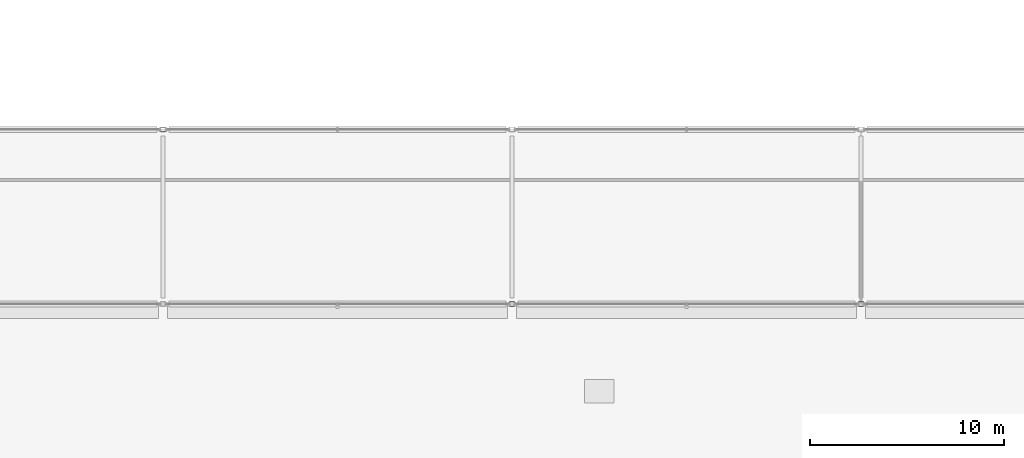
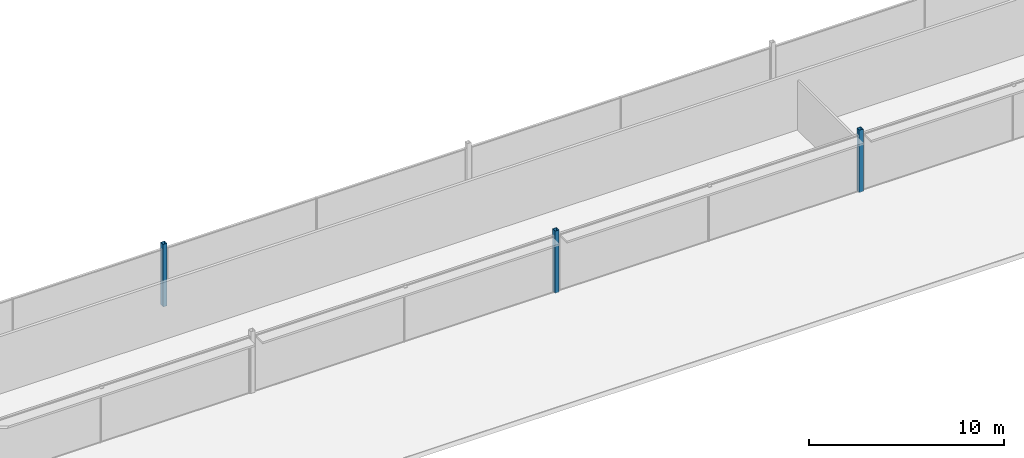
# One storey, part 8 of 105: 3 columns.
"""IFC4 building model written with IfcOpenShell, lengths in metres."""

from ifc_helpers import new_model, si_unit, direction, frame, origin, origin_2d, place, context, subcontext, project, spatial, hollow_rectangle, extrude, material, material_profile, profile_set, type_object, element, save


model = new_model("IFC4")

# Units and contexts
model_context = context("Model", 3, precision=1e-05, world=origin(), true_north=direction((0.0, 1.0)))
body_context = subcontext(model_context, "Body", "Model", "MODEL_VIEW")
ifc_project = project(units=[si_unit("LENGTHUNIT", "METRE"), si_unit("AREAUNIT", "SQUARE_METRE"), si_unit("VOLUMEUNIT", "CUBIC_METRE"), si_unit("PLANEANGLEUNIT", "RADIAN"), si_unit("MASSUNIT", "GRAM", prefix="KILO")], contexts=[model_context])

# Site, building, storey
site_placement = place(None, origin())
site = spatial("IfcSite", under=ifc_project, at=site_placement, CompositionType="ELEMENT")
building_placement = place(site_placement, origin())
building = spatial("IfcBuilding", under=site, at=building_placement, Name="Kisiwana Market Hall", CompositionType="ELEMENT")
storey_placement = place(building_placement, frame((0.0, 0.0, 21.60009765625)))
storey = spatial("IfcBuildingStorey", under=building, at=storey_placement, Name="L04", CompositionType="ELEMENT", Elevation=21.60009765625)

# Columns
ifc_material = material(Name="Steel S355", Category="steel")
ifc_material_profile = material_profile(ifc_material, hollow_rectangle(XDim=0.25, YDim=0.25, WallThickness=0.012451171875, at=origin_2d()), Name="SHS 250x250x12.5")
ifc_profile_set = profile_set([ifc_material_profile], Name="Steel S355")
column_type = type_object("IfcColumnType", Name="COL-STL-SHS250", PredefinedType="COLUMN", material=ifc_profile_set)
for number, where, z_axis, x_axis, name in (
    (1, (63.0, 102.0, 0.0), (0.0, 0.0, 1.0), (1.0, 0.0, 0.0), "Column N/8 (L04) C-0826"),
    (2, (81.0, 93.0, 0.0), (0.0, 0.0, 1.0), (1.0, 0.0, 0.0), "Column M/10 (L04) C-0829"),
    (3, (99.0, 93.0, 0.0), (0.0, 0.0, 1.0), (1.0, 0.0, 0.0), "Column M/12 (L04) C-0833"),
):
    element("IfcColumn", number, at=place(storey_placement, frame(where, z_axis=z_axis, x_axis=x_axis)), inside=storey, type_object=column_type, Name=name, PredefinedType="COLUMN", context=body_context, shape_type="SweptSolid", body=[
        extrude(hollow_rectangle(XDim=0.25, YDim=0.25, WallThickness=0.012451171875, at=origin_2d()), origin(), (0.0, 0.0, 1.0), 3.89990234375),
    ])

save(model, "model.ifc")
